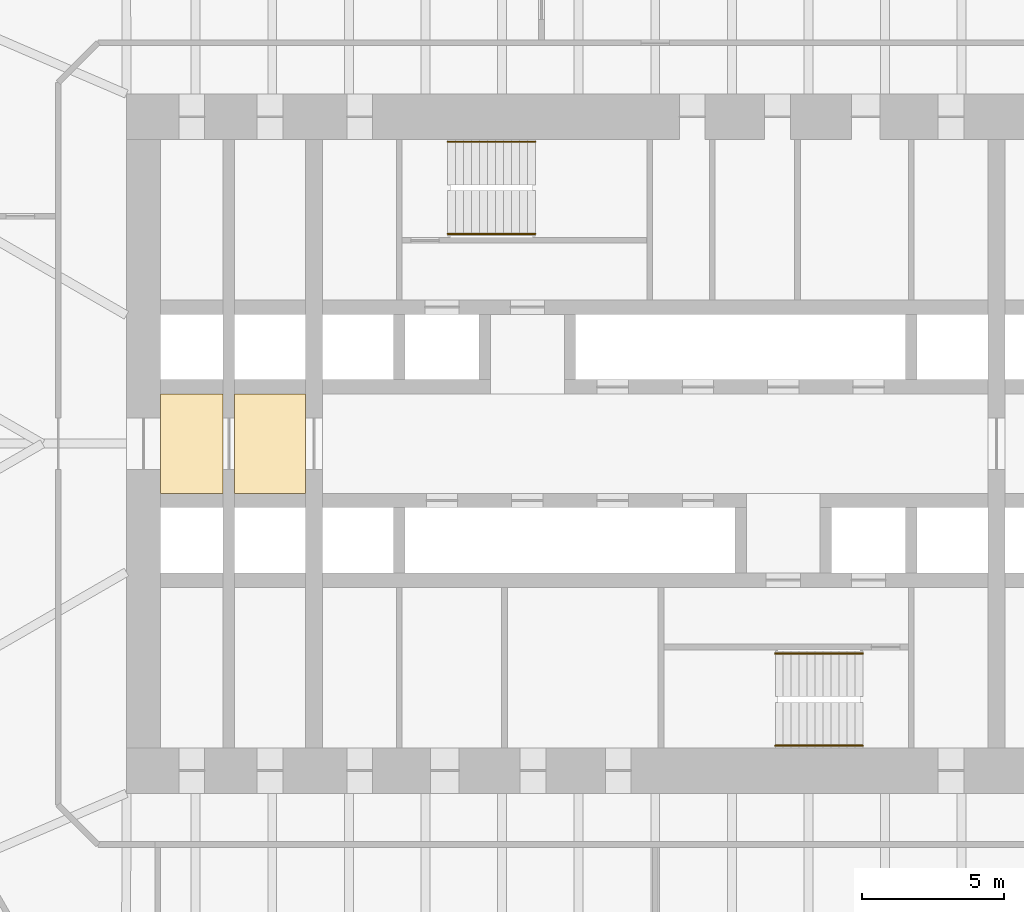
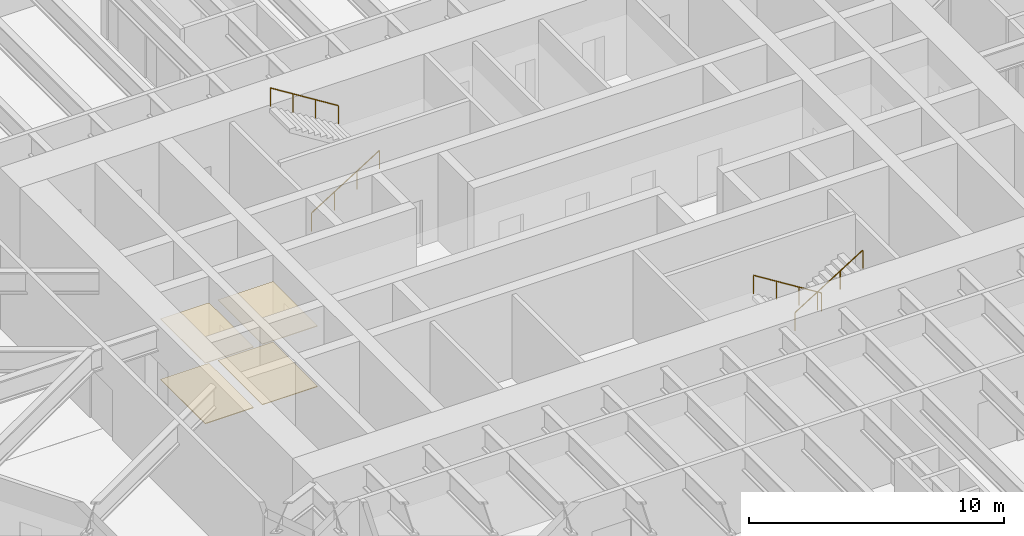
# One storey, part 22 of 24: 4 coverings, 4 railings.
"""IFC4 building model written with IfcOpenShell, lengths in metres."""

from ifc_helpers import new_model, si_unit, direction, frame, origin, origin_2d, place, context, subcontext, project, spatial, polyline, circle, outline, extrude, material, layer, layer_set, type_object, element, save


model = new_model("IFC4")

# Units and contexts
model_context = context("Model", 3, precision=1e-05, world=origin(), true_north=direction((0.0, 1.0)))
body_context = subcontext(model_context, "Body", "Model", "MODEL_VIEW")
ifc_project = project(units=[si_unit("LENGTHUNIT", "METRE"), si_unit("AREAUNIT", "SQUARE_METRE"), si_unit("VOLUMEUNIT", "CUBIC_METRE"), si_unit("PLANEANGLEUNIT", "RADIAN"), si_unit("MASSUNIT", "GRAM", prefix="KILO")], contexts=[model_context])

# Site, building, storey
site_placement = place(None, origin())
site = spatial("IfcSite", under=ifc_project, at=site_placement, CompositionType="ELEMENT")
building_placement = place(site_placement, origin())
building = spatial("IfcBuilding", under=site, at=building_placement, Name="Tarfa Lantern Tower", CompositionType="ELEMENT")
storey_placement = place(building_placement, frame((0.0, 0.0, 65.5)))
storey = spatial("IfcBuildingStorey", under=building, at=storey_placement, Name="L14", CompositionType="ELEMENT", Elevation=65.5)

# Coverings
ifc_material_1 = material(Name="Powder-coated aluminium panel", Category="aluminium")
ifc_layer_1 = layer(ifc_material_1, 0.030029296875)
ifc_layer_set_1 = layer_set([ifc_layer_1], Name="CL3 METAL PANEL CEILING 30")
covering_type_1 = type_object("IfcCoveringType", Name="CL3 METAL PANEL CEILING 30", PredefinedType="CEILING", material=ifc_layer_set_1)
covering_1_placement = place(storey_placement, frame((0.0, 0.0, 2.89990234375)))
element("IfcCovering", 1, at=covering_1_placement, inside=storey, type_object=covering_type_1, Name="Ceiling L14-01", PredefinedType="CEILING", context=body_context, shape_type="SweptSolid", body=[
    extrude(outline(polyline([(-17.39990234375, -1.75), (-15.199951171875, -1.75), (-15.199951171875, 1.75), (-17.39990234375, 1.75), (-17.39990234375, -1.75)])), origin(), (0.0, 0.0, 1.0), 0.030029296875),
])
covering_2_placement = place(storey_placement, frame((0.0, 0.0, 2.89990234375)))
element("IfcCovering", 2, at=covering_2_placement, inside=storey, type_object=covering_type_1, Name="Ceiling L14-02", PredefinedType="CEILING", context=body_context, shape_type="SweptSolid", body=[
    extrude(outline(polyline([(-14.800048828125, -1.75), (-12.300048828125, -1.75), (-12.300048828125, 1.75), (-14.800048828125, 1.75), (-14.800048828125, -1.75)])), origin(), (0.0, 0.0, 1.0), 0.030029296875),
])
ifc_material_2 = material(Name="Honed limestone flooring", Category="masonry")
ifc_layer_2 = layer(ifc_material_2, 0.030029296875)
ifc_layer_set_2 = layer_set([ifc_layer_2], Name="FL2 STONE FLOORING 30")
covering_type_2 = type_object("IfcCoveringType", Name="FL2 STONE FLOORING 30", PredefinedType="FLOORING", material=ifc_layer_set_2)
covering_3_placement = place(storey_placement, origin())
element("IfcCovering", 3, at=covering_3_placement, inside=storey, type_object=covering_type_2, Name="Floor finish L14-01", PredefinedType="FLOORING", context=body_context, shape_type="SweptSolid", body=[
    extrude(outline(polyline([(-17.39990234375, -1.75), (-15.199951171875, -1.75), (-15.199951171875, 1.75), (-17.39990234375, 1.75), (-17.39990234375, -1.75)])), origin(), (0.0, 0.0, 1.0), 0.030029296875),
])
covering_4_placement = place(storey_placement, origin())
element("IfcCovering", 4, at=covering_4_placement, inside=storey, type_object=covering_type_2, Name="Floor finish L14-02", PredefinedType="FLOORING", context=body_context, shape_type="SweptSolid", body=[
    extrude(outline(polyline([(-14.800048828125, -1.75), (-12.300048828125, -1.75), (-12.300048828125, 1.75), (-14.800048828125, 1.75), (-14.800048828125, -1.75)])), origin(), (0.0, 0.0, 1.0), 0.030029296875),
])

# Railings
ifc_material_3 = material(Name="Stainless steel", Category="steel")
railing_type = type_object("IfcRailingType", Name="HR1 HANDRAIL 900", PredefinedType="HANDRAIL", material=ifc_material_3)
railing_1_placement = place(storey_placement, frame((-7.300048828125, 7.3798828125, 0.175048828125)))
element("IfcRailing", 5, at=railing_1_placement, inside=storey, type_object=railing_type, Name="Handrail 1", PredefinedType="HANDRAIL", context=body_context, shape_type="SweptSolid", body=[
    extrude(circle(Radius=0.02392578125, at=origin_2d()), frame((0.0, 0.0, 0.8759765625), z_axis=(0.847998304005, 0.0, 0.529998940003), x_axis=(0.0, 1.0, 0.0)), (0.0, 0.0, 1.0), 3.632080078125),
    extrude(circle(Radius=0.02099609375, at=origin_2d()), frame((0.0, 0.0, 0.0), z_axis=(0.0, 0.0, 1.0), x_axis=(0.0, 1.0, 0.0)), (0.0, 0.0, 1.0), 0.851806640625),
    extrude(circle(Radius=0.02099609375, at=origin_2d()), frame((1.026611328125, 0.0, 0.6416015625), z_axis=(0.0, 0.0, 1.0), x_axis=(0.0, 1.0, 0.0)), (0.0, 0.0, 1.0), 0.851806640625),
    extrude(circle(Radius=0.02099609375, at=origin_2d()), frame((2.053466796875, 0.0, 1.283447265625), z_axis=(0.0, 0.0, 1.0), x_axis=(0.0, 1.0, 0.0)), (0.0, 0.0, 1.0), 0.851806640625),
    extrude(circle(Radius=0.02099609375, at=origin_2d()), frame((3.080078125, 0.0, 1.925048828125), z_axis=(0.0, 0.0, 1.0), x_axis=(0.0, 1.0, 0.0)), (0.0, 0.0, 1.0), 0.851806640625),
])
for number, where, name in (
    (6, (-4.219970703125, 10.6201171875, 2.27490234375), "Handrail 2"),
    (7, (7.300048828125, -7.3798828125, 0.175048828125), "Handrail 1"),
):
    element("IfcRailing", number, at=place(storey_placement, frame(where)), inside=storey, type_object=railing_type, Name=name, PredefinedType="HANDRAIL", context=body_context, shape_type="SweptSolid", body=[
        extrude(circle(Radius=0.02392578125, at=origin_2d()), frame((0.0, 0.0, 0.8759765625), z_axis=(-0.847998304005, 0.0, 0.529998940003), x_axis=(0.0, -1.0, 0.0)), (0.0, 0.0, 1.0), 3.632080078125),
        extrude(circle(Radius=0.02099609375, at=origin_2d()), frame((0.0, 0.0, 0.0), z_axis=(0.0, 0.0, 1.0), x_axis=(0.0, -1.0, 0.0)), (0.0, 0.0, 1.0), 0.851806640625),
        extrude(circle(Radius=0.02099609375, at=origin_2d()), frame((-1.026611328125, 0.0, 0.6416015625), z_axis=(0.0, 0.0, 1.0), x_axis=(0.0, -1.0, 0.0)), (0.0, 0.0, 1.0), 0.851806640625),
        extrude(circle(Radius=0.02099609375, at=origin_2d()), frame((-2.053466796875, 0.0, 1.283447265625), z_axis=(0.0, 0.0, 1.0), x_axis=(0.0, -1.0, 0.0)), (0.0, 0.0, 1.0), 0.851806640625),
        extrude(circle(Radius=0.02099609375, at=origin_2d()), frame((-3.080078125, 0.0, 1.925048828125), z_axis=(0.0, 0.0, 1.0), x_axis=(0.0, -1.0, 0.0)), (0.0, 0.0, 1.0), 0.851806640625),
    ])
railing_2_placement = place(storey_placement, frame((4.219970703125, -10.6201171875, 2.27490234375)))
element("IfcRailing", 8, at=railing_2_placement, inside=storey, type_object=railing_type, Name="Handrail 2", PredefinedType="HANDRAIL", context=body_context, shape_type="SweptSolid", body=[
    extrude(circle(Radius=0.02392578125, at=origin_2d()), frame((0.0, 0.0, 0.8759765625), z_axis=(0.847998304005, 0.0, 0.529998940003), x_axis=(0.0, 1.0, 0.0)), (0.0, 0.0, 1.0), 3.632080078125),
    extrude(circle(Radius=0.02099609375, at=origin_2d()), frame((0.0, 0.0, 0.0), z_axis=(0.0, 0.0, 1.0), x_axis=(0.0, 1.0, 0.0)), (0.0, 0.0, 1.0), 0.851806640625),
    extrude(circle(Radius=0.02099609375, at=origin_2d()), frame((1.026611328125, 0.0, 0.6416015625), z_axis=(0.0, 0.0, 1.0), x_axis=(0.0, 1.0, 0.0)), (0.0, 0.0, 1.0), 0.851806640625),
    extrude(circle(Radius=0.02099609375, at=origin_2d()), frame((2.053466796875, 0.0, 1.283447265625), z_axis=(0.0, 0.0, 1.0), x_axis=(0.0, 1.0, 0.0)), (0.0, 0.0, 1.0), 0.851806640625),
    extrude(circle(Radius=0.02099609375, at=origin_2d()), frame((3.080078125, 0.0, 1.925048828125), z_axis=(0.0, 0.0, 1.0), x_axis=(0.0, 1.0, 0.0)), (0.0, 0.0, 1.0), 0.851806640625),
])

save(model, "model.ifc")
